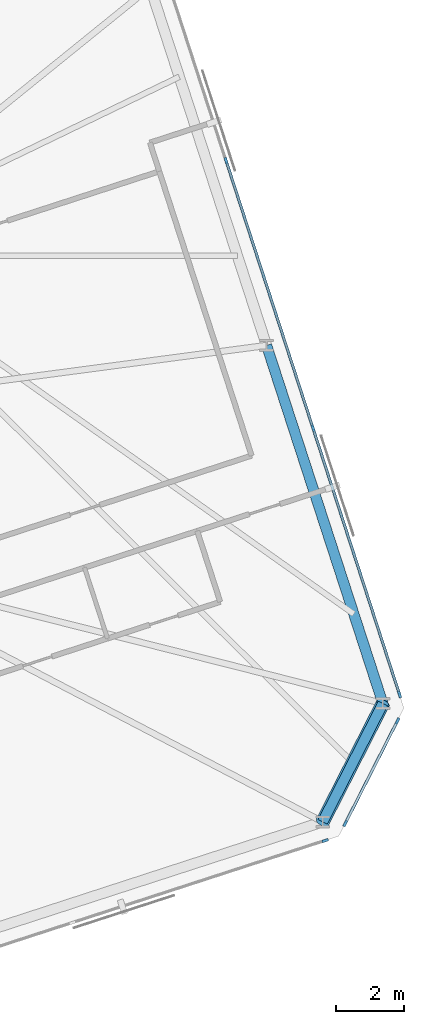
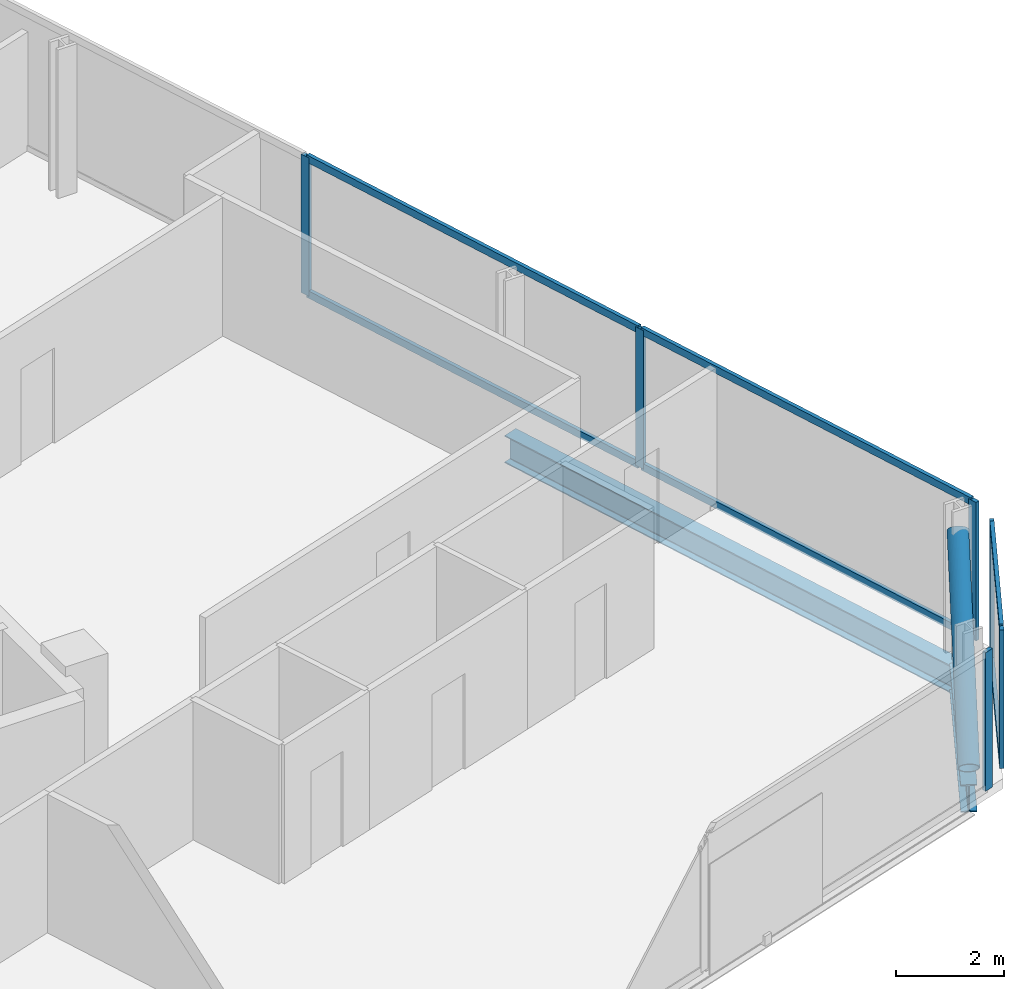
# One storey, part 11 of 20: 13 members, 2 beams, 3 elements without a shape of their own.
"""IFC4 building model written with IfcOpenShell, lengths in metres."""

from ifc_helpers import new_model, si_unit, direction, frame, origin, origin_2d, place, context, subcontext, project, spatial, rectangle, hollow_circle, i_section, extrude, material, material_profile, profile_set, type_object, element, aggregate, save


model = new_model("IFC4")

# Units and contexts
model_context = context("Model", 3, precision=1e-05, world=origin(), true_north=direction((0.0, 1.0)))
body_context = subcontext(model_context, "Body", "Model", "MODEL_VIEW")
ifc_project = project(units=[si_unit("LENGTHUNIT", "METRE"), si_unit("AREAUNIT", "SQUARE_METRE"), si_unit("VOLUMEUNIT", "CUBIC_METRE"), si_unit("PLANEANGLEUNIT", "RADIAN"), si_unit("MASSUNIT", "GRAM", prefix="KILO")], contexts=[model_context])

# Site, building, storey
site_placement = place(None, origin())
site = spatial("IfcSite", under=ifc_project, at=site_placement, CompositionType="ELEMENT")
building_placement = place(site_placement, origin())
building = spatial("IfcBuilding", under=site, at=building_placement, Name="Menara Jurai Vektor", CompositionType="ELEMENT")
storey_placement = place(building_placement, frame((0.0, 0.0, 217.60009765625)))
storey = spatial("IfcBuildingStorey", under=building, at=storey_placement, Name="L57", CompositionType="ELEMENT", Elevation=217.60009765625)

# Curtain wall, member
ifc_material_1 = material(Name="Anodised Pale Aluminium & Low-E Double Glazing", Category="aluminium")
curtain_wall_type = type_object("IfcCurtainWallType", Name="CW-BLK4", PredefinedType="NOTDEFINED", material=ifc_material_1)
curtain_wall_1_placement = place(storey_placement, origin())
curtain_wall_1 = element("IfcCurtainWall", 1, at=curtain_wall_1_placement, inside=storey, type_object=curtain_wall_type, Name="Unitised Curtain Wall L57 F01", PredefinedType="NOTDEFINED")
ifc_material_2 = material(Name="Anodised Pale Aluminium Mullion", Category="aluminium")
ifc_material_profile_1 = material_profile(ifc_material_2, rectangle(XDim=0.080078125, YDim=0.18994140625, at=origin_2d()), Name="ALU MUL 80x190")
ifc_profile_set_1 = profile_set([ifc_material_profile_1], Name="Anodised Pale Aluminium Mullion")
member_type_1 = type_object("IfcMemberType", Name="CW-BLK4-MUL", PredefinedType="MULLION", material=ifc_profile_set_1)
member_1_placement = place(storey_placement, frame((29.810546875, -12.698486328125, 0.0), z_axis=(0.0, 0.0, 1.0), x_axis=(-0.309017344167, 0.951056402641, 0.0)))
member_1 = element("IfcMember", 2, at=member_1_placement, type_object=member_type_1, Name="CW-04 mullion 8", PredefinedType="MULLION", context=body_context, shape_type="SweptSolid", body=[
    extrude(rectangle(XDim=0.080078125, YDim=0.18994140625, at=origin_2d()), origin(), (0.0, 0.0, 1.0), 3.125),
])
aggregate(curtain_wall_1, [member_1])

# Curtain wall, members
curtain_wall_2_placement = place(storey_placement, origin())
curtain_wall_2 = element("IfcCurtainWall", 3, at=curtain_wall_2_placement, inside=storey, type_object=curtain_wall_type, Name="Unitised Curtain Wall L57 F02", PredefinedType="NOTDEFINED")
member_2_placement = place(storey_placement, frame((30.400634765625, -12.194580078125, 0.0), z_axis=(0.0, 0.0, 1.0), x_axis=(-0.89100750243, 0.453988579828, 0.0)))
member_2 = element("IfcMember", 4, at=member_2_placement, type_object=member_type_1, Name="CW-04 mullion 1", PredefinedType="MULLION", context=body_context, shape_type="SweptSolid", body=[
    extrude(rectangle(XDim=0.080078125, YDim=0.18994140625, at=origin_2d()), origin(), (0.0, 0.0, 1.0), 3.125),
])
member_3_placement = place(storey_placement, frame((31.9453125, -9.16259765625, 0.0), z_axis=(0.0, 0.0, 1.0), x_axis=(-0.89100750243, 0.453988579828, 0.0)))
member_3 = element("IfcMember", 5, at=member_3_placement, type_object=member_type_1, Name="CW-04 mullion 2", PredefinedType="MULLION", context=body_context, shape_type="SweptSolid", body=[
    extrude(rectangle(XDim=0.080078125, YDim=0.18994140625, at=origin_2d()), origin(), (0.0, 0.0, 1.0), 3.125),
])

curtain_wall_3_placement = place(storey_placement, origin())
curtain_wall_3 = element("IfcCurtainWall", 6, at=curtain_wall_3_placement, inside=storey, type_object=curtain_wall_type, Name="Unitised Curtain Wall L57 F03", PredefinedType="NOTDEFINED")
member_4_placement = place(storey_placement, frame((32.00634765625, -8.388916015625, 0.0), z_axis=(0.0, 0.0, 1.0), x_axis=(-0.95105668295, -0.309016481464, 0.0)))
member_4 = element("IfcMember", 7, at=member_4_placement, type_object=member_type_1, Name="CW-04 mullion 1", PredefinedType="MULLION", context=body_context, shape_type="SweptSolid", body=[
    extrude(rectangle(XDim=0.080078125, YDim=0.18994140625, at=origin_2d()), origin(), (0.0, 0.0, 1.0), 3.125),
])
member_5_placement = place(storey_placement, frame((29.45068359375, -0.523681640625, 0.0), z_axis=(0.0, 0.0, 1.0), x_axis=(-0.95105668295, -0.309016481464, 0.0)))
member_5 = element("IfcMember", 8, at=member_5_placement, type_object=member_type_1, Name="CW-04 mullion 2", PredefinedType="MULLION", context=body_context, shape_type="SweptSolid", body=[
    extrude(rectangle(XDim=0.080078125, YDim=0.18994140625, at=origin_2d()), origin(), (0.0, 0.0, 1.0), 3.125),
])
member_6_placement = place(storey_placement, frame((26.8828125, 7.379638671875, 0.0), z_axis=(0.0, 0.0, 1.0), x_axis=(-0.95105668295, -0.309016481464, 0.0)))
member_6 = element("IfcMember", 9, at=member_6_placement, type_object=member_type_1, Name="CW-04 mullion 3", PredefinedType="MULLION", context=body_context, shape_type="SweptSolid", body=[
    extrude(rectangle(XDim=0.080078125, YDim=0.18994140625, at=origin_2d()), origin(), (0.0, 0.0, 1.0), 3.125),
])

# Member
ifc_material_3 = material(Name="Anodised Pale Aluminium Transom", Category="aluminium")
ifc_material_profile_2 = material_profile(ifc_material_3, rectangle(XDim=0.080078125, YDim=0.1650390625, at=origin_2d()), Name="ALU TRN 80x165")
ifc_profile_set_2 = profile_set([ifc_material_profile_2], Name="Anodised Pale Aluminium Transom")
member_type_2 = type_object("IfcMemberType", Name="CW-BLK4-TRN", PredefinedType="USERDEFINED", material=ifc_profile_set_2)
member_7_placement = place(storey_placement, frame((30.418701171875, -12.158935546875, 0.039794921875), z_axis=(0.453989617444, 0.89100697374, 0.0), x_axis=(-0.89100697374, 0.453989617444, 0.0)))
member_7 = element("IfcMember", 10, at=member_7_placement, type_object=member_type_2, Name="CW-04 transom 1.1", ObjectType="TRANSOM", PredefinedType="USERDEFINED", context=body_context, shape_type="SweptSolid", body=[
    extrude(rectangle(XDim=0.080078125, YDim=0.1650390625, at=origin_2d()), origin(), (0.0, 0.0, 1.0), 3.32275390625),
])

member_8_placement = place(storey_placement, frame((30.418701171875, -12.158935546875, 3.0849609375), z_axis=(0.453989617444, 0.89100697374, 0.0), x_axis=(-0.89100697374, 0.453989617444, 0.0)))
member_8 = element("IfcMember", 11, at=member_8_placement, type_object=member_type_2, Name="CW-04 transom 1.2", ObjectType="TRANSOM", PredefinedType="USERDEFINED", context=body_context, shape_type="SweptSolid", body=[
    extrude(rectangle(XDim=0.080078125, YDim=0.1650390625, at=origin_2d()), origin(), (0.0, 0.0, 1.0), 3.32275390625),
])

aggregate(curtain_wall_2, [member_2, member_3, member_7, member_8])

member_9_placement = place(storey_placement, frame((31.993896484375, -8.350830078125, 0.039794921875), z_axis=(-0.309010577384, 0.951058601278, 0.0), x_axis=(-0.951058601278, -0.309010577384, 0.0)))
member_9 = element("IfcMember", 12, at=member_9_placement, type_object=member_type_2, Name="CW-04 transom 1.1", ObjectType="TRANSOM", PredefinedType="USERDEFINED", context=body_context, shape_type="SweptSolid", body=[
    extrude(rectangle(XDim=0.080078125, YDim=0.1650390625, at=origin_2d()), origin(), (0.0, 0.0, 1.0), 8.18994140625),
])

member_10_placement = place(storey_placement, frame((31.993896484375, -8.350830078125, 3.0849609375), z_axis=(-0.309010577384, 0.951058601278, 0.0), x_axis=(-0.951058601278, -0.309010577384, 0.0)))
member_10 = element("IfcMember", 13, at=member_10_placement, type_object=member_type_2, Name="CW-04 transom 1.2", ObjectType="TRANSOM", PredefinedType="USERDEFINED", context=body_context, shape_type="SweptSolid", body=[
    extrude(rectangle(XDim=0.080078125, YDim=0.1650390625, at=origin_2d()), origin(), (0.0, 0.0, 1.0), 8.18994140625),
])

member_11_placement = place(storey_placement, frame((29.438232421875, -0.485595703125, 0.039794921875), z_axis=(-0.309018994408, 0.951055866443, 0.0), x_axis=(-0.951055866443, -0.309018994408, 0.0)))
member_11 = element("IfcMember", 14, at=member_11_placement, type_object=member_type_2, Name="CW-04 transom 2.1", ObjectType="TRANSOM", PredefinedType="USERDEFINED", context=body_context, shape_type="SweptSolid", body=[
    extrude(rectangle(XDim=0.080078125, YDim=0.1650390625, at=origin_2d()), origin(), (0.0, 0.0, 1.0), 8.22998046875),
])

member_12_placement = place(storey_placement, frame((29.438232421875, -0.485595703125, 3.0849609375), z_axis=(-0.309018994408, 0.951055866443, 0.0), x_axis=(-0.951055866443, -0.309018994408, 0.0)))
member_12 = element("IfcMember", 15, at=member_12_placement, type_object=member_type_2, Name="CW-04 transom 2.2", ObjectType="TRANSOM", PredefinedType="USERDEFINED", context=body_context, shape_type="SweptSolid", body=[
    extrude(rectangle(XDim=0.080078125, YDim=0.1650390625, at=origin_2d()), origin(), (0.0, 0.0, 1.0), 8.22998046875),
])

aggregate(curtain_wall_3, [member_4, member_5, member_6, member_9, member_10, member_11, member_12])

ifc_material_4 = material(Name="Steel S460", Category="steel")
ifc_material_profile_3 = material_profile(ifc_material_4, hollow_circle(Radius=0.203125, WallThickness=0.01611328125, at=origin_2d()), Name="CHS 406.4x16")
ifc_profile_set_3 = profile_set([ifc_material_profile_3], Name="Steel S460")
member_type_3 = type_object("IfcMemberType", Name="STR-BR-406", PredefinedType="BRACE", material=ifc_profile_set_3)
member_13_placement = place(storey_placement, frame((29.733642578125, -12.14501953125, 0.14990234375), z_axis=(0.377239531316, 0.740351985533, 0.55638949804), x_axis=(-0.891000997215, 0.454001346872, 0.0)))
element("IfcMember", 16, at=member_13_placement, inside=storey, type_object=member_type_3, Name="Exoskeleton Corner Brace L57-1", PredefinedType="BRACE", context=body_context, shape_type="SweptSolid", body=[
    extrude(hollow_circle(Radius=0.203125, WallThickness=0.01611328125, at=origin_2d()), origin(), (0.0, 0.0, 1.0), 4.718017578125),
])

# Beams
ifc_material_5 = material(Name="Steel S355", Category="steel")
ifc_material_profile_4 = material_profile(ifc_material_5, i_section(OverallWidth=0.306884765625, OverallDepth=0.6201171875, WebThickness=0.013916015625, FlangeThickness=0.02392578125, FilletRadius=0.01708984375, at=origin_2d()), Name="UKB 610x305x179")
ifc_profile_set_4 = profile_set([ifc_material_profile_4], Name="Steel S355")
beam_type = type_object("IfcBeamType", Name="STR-SP-610", PredefinedType="SPANDREL", material=ifc_profile_set_4)
beam_1_placement = place(storey_placement, frame((29.7333984375, -12.14501953125, -0.53515625), z_axis=(0.454050785633, 0.890975804423, 0.0), x_axis=(-0.890975804423, 0.454050785633, 0.0)))
element("IfcBeam", 17, at=beam_1_placement, inside=storey, type_object=beam_type, Name="Exoskeleton Spandrel Beam L57-06", PredefinedType="SPANDREL", context=body_context, shape_type="SweptSolid", body=[
    extrude(i_section(OverallWidth=0.306884765625, OverallDepth=0.6201171875, WebThickness=0.013916015625, FlangeThickness=0.02392578125, FilletRadius=0.01708984375, at=origin_2d()), origin(), (0.0, 0.0, 1.0), 3.92041015625),
])
beam_2_placement = place(storey_placement, frame((31.513427734375, -8.652099609375, -0.53515625), z_axis=(-0.309012092614, 0.95105810896, 0.0), x_axis=(-0.95105810896, -0.309012092614, 0.0)))
element("IfcBeam", 18, at=beam_2_placement, inside=storey, type_object=beam_type, Name="Exoskeleton Spandrel Beam L57-07", PredefinedType="SPANDREL", context=body_context, shape_type="SweptSolid", body=[
    extrude(i_section(OverallWidth=0.306884765625, OverallDepth=0.6201171875, WebThickness=0.013916015625, FlangeThickness=0.02392578125, FilletRadius=0.01708984375, at=origin_2d()), origin(), (0.0, 0.0, 1.0), 11.11865234375),
])

save(model, "model.ifc")
